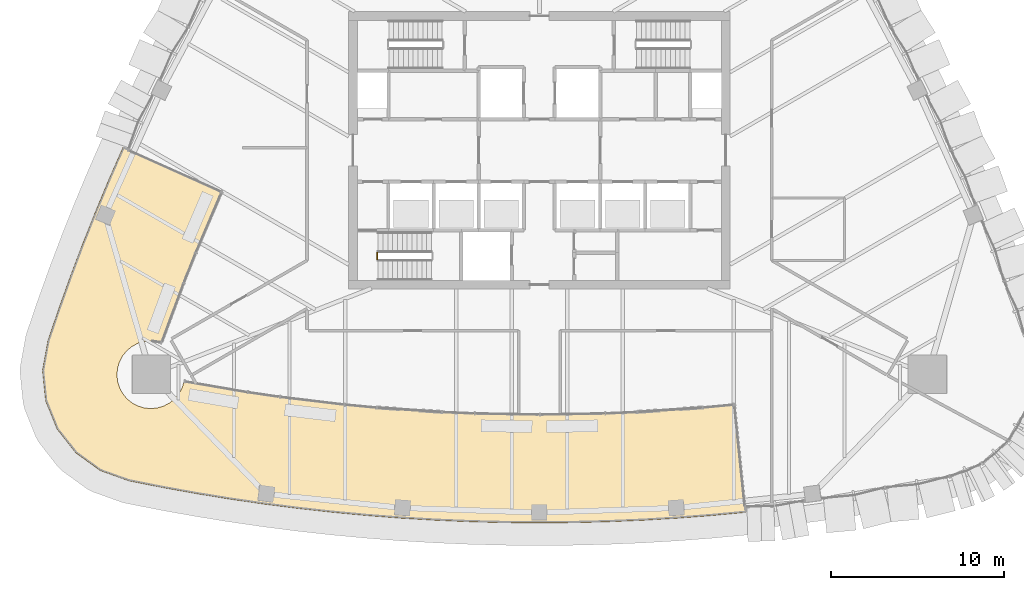
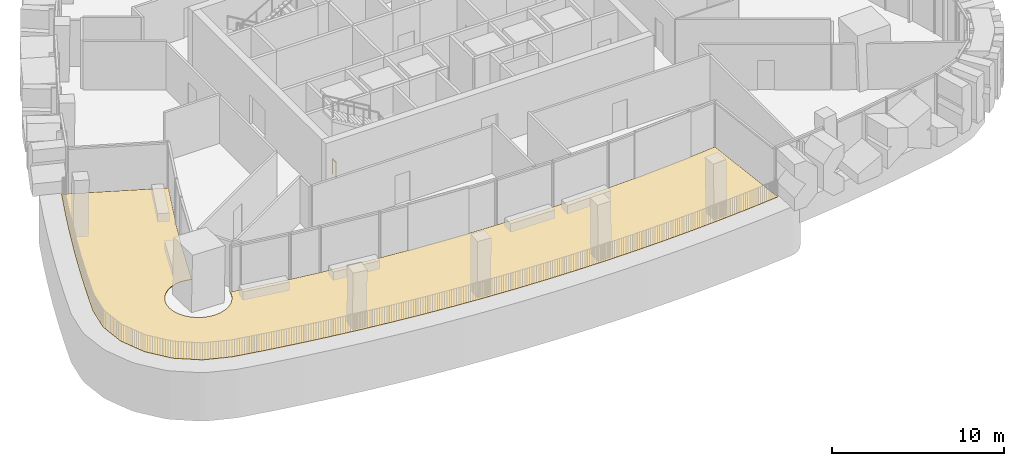
# One storey, part 16 of 22: 1 covering, 1 railing.
"""IFC4 building model written with IfcOpenShell, lengths in metres."""

from ifc_helpers import new_model, si_unit, direction, frame, origin, origin_2d, place, context, subcontext, project, spatial, polyline, circle, outline, extrude, material, layer, layer_set, type_object, element, save


model = new_model("IFC4")

# Units and contexts
model_context = context("Model", 3, precision=1e-05, world=origin(), true_north=direction((0.0, 1.0)))
body_context = subcontext(model_context, "Body", "Model", "MODEL_VIEW")
ifc_project = project(units=[si_unit("LENGTHUNIT", "METRE"), si_unit("AREAUNIT", "SQUARE_METRE"), si_unit("VOLUMEUNIT", "CUBIC_METRE"), si_unit("PLANEANGLEUNIT", "RADIAN"), si_unit("MASSUNIT", "GRAM", prefix="KILO")], contexts=[model_context])

# Site, building, storey
site_placement = place(None, origin())
site = spatial("IfcSite", under=ifc_project, at=site_placement, CompositionType="ELEMENT")
building_placement = place(site_placement, origin())
building = spatial("IfcBuilding", under=site, at=building_placement, Name="Sierra Prisma Convention Tower", CompositionType="ELEMENT")
storey_placement = place(building_placement, frame((0.0, 0.0, 227.0)))
storey = spatial("IfcBuildingStorey", under=building, at=storey_placement, Name="L50", CompositionType="ELEMENT", Elevation=227.0)

# Railing
ifc_material_1 = material(Name="Stainless steel", Category="steel")
railing_type = type_object("IfcRailingType", Name="Stair guard 1100", PredefinedType="GUARDRAIL", material=ifc_material_1)
railing_placement = place(storey_placement, frame((-9.35009765625, -6.300048828125, 0.0)))
element("IfcRailing", 1, at=railing_placement, inside=storey, type_object=railing_type, Name="L50 S1 stair guard 4", PredefinedType="GUARDRAIL", context=body_context, shape_type="SweptSolid", body=[
    extrude(circle(Radius=0.02392578125, at=origin_2d()), frame((0.0, 0.0, 1.076171875), z_axis=(0.0, 1.0, 0.0), x_axis=(-1.0, 0.0, 0.0)), (0.0, 0.0, 1.0), 0.400146484375),
    extrude(circle(Radius=0.02099609375, at=origin_2d()), origin(), (0.0, 0.0, 1.0), 1.052001953125),
    extrude(circle(Radius=0.02099609375, at=origin_2d()), frame((0.0, 0.400146484375, 0.0)), (0.0, 0.0, 1.0), 1.052001953125),
])

# Covering
ifc_material_2 = material(Name="Porcelain stoneware paving", Category="masonry")
ifc_layer = layer(ifc_material_2, 0.0400390625)
ifc_layer_set = layer_set([ifc_layer], Name="Terrace paving")
covering_type = type_object("IfcCoveringType", Name="Terrace paving", PredefinedType="FLOORING", material=ifc_layer_set)
covering_placement = place(storey_placement, origin())
element("IfcCovering", 2, at=covering_placement, inside=storey, type_object=covering_type, Name="Terrace paving L50", PredefinedType="FLOORING", context=body_context, shape_type="SweptSolid", body=[
    extrude(outline(polyline([(-24.02197265625, 0.158203125), (-24.0322265625, 0.135498046875), (-24.82958984375, -1.68408203125), (-25.595703125, -3.516845703125), (-26.33056640625, -5.362548828125), (-27.03369140625, -7.220458984375), (-27.705322265625, -9.090087890625), (-28.344970703125, -10.970703125), (-28.65673828125, -12.695068359375), (-28.47802734375, -14.438232421875), (-27.822998046875, -16.0634765625), (-26.742919921875, -17.443603515625), (-25.32275390625, -18.4697265625), (-23.673583984375, -19.06201171875), (-21.724853515625, -19.448486328125), (-19.77001953125, -19.8017578125), (-17.809326171875, -20.12158203125), (-15.843505859375, -20.407958984375), (-13.873046875, -20.660888671875), (-11.898681640625, -20.88037109375), (-9.9208984375, -21.066162109375), (-7.940185546875, -21.218017578125), (-5.95703125, -21.33642578125), (-3.972412109375, -21.4208984375), (-1.986572265625, -21.4716796875), (0.0, -21.488525390625), (1.986572265625, -21.4716796875), (3.972412109375, -21.4208984375), (5.95703125, -21.33642578125), (7.940185546875, -21.218017578125), (9.9208984375, -21.066162109375), (11.8740234375, -20.882568359375), (11.239501953125, -14.664794921875), (9.3896484375, -14.83837890625), (5.63818359375, -15.09423828125), (3.759521484375, -15.17431640625), (0.0, -15.23828125), (-3.759521484375, -15.17431640625), (-5.63818359375, -15.09423828125), (-9.3896484375, -14.83837890625), (-11.261474609375, -14.66259765625), (-14.994873046875, -14.215576171875), (-16.85546875, -13.944580078125), (-20.487060546875, -13.32080078125), (-20.597412109375, -13.683349609375), (-20.778076171875, -14.021484375), (-21.021240234375, -14.31787109375), (-21.317626953125, -14.56103515625), (-21.65576171875, -14.74169921875), (-22.0224609375, -14.85302734375), (-22.404052734375, -14.890625), (-22.78564453125, -14.85302734375), (-23.152587890625, -14.74169921875), (-23.490478515625, -14.56103515625), (-23.786865234375, -14.31787109375), (-24.030029296875, -14.021484375), (-24.2109375, -13.683349609375), (-24.322265625, -13.316650390625), (-24.359619140625, -12.93505859375), (-24.322265625, -12.553466796875), (-24.2109375, -12.1865234375), (-24.030029296875, -11.8486328125), (-23.786865234375, -11.55224609375), (-23.490478515625, -11.30908203125), (-23.152587890625, -11.128173828125), (-22.78564453125, -11.016845703125), (-22.404052734375, -10.9794921875), (-21.780517578125, -11.08349609375), (-20.504150390625, -7.625), (-19.80859375, -5.878173828125), (-18.31982421875, -2.4013671875), (-24.02197265625, 0.158203125)])), origin(), (0.0, 0.0, 1.0), 0.0400390625),
])

save(model, "model.ifc")
